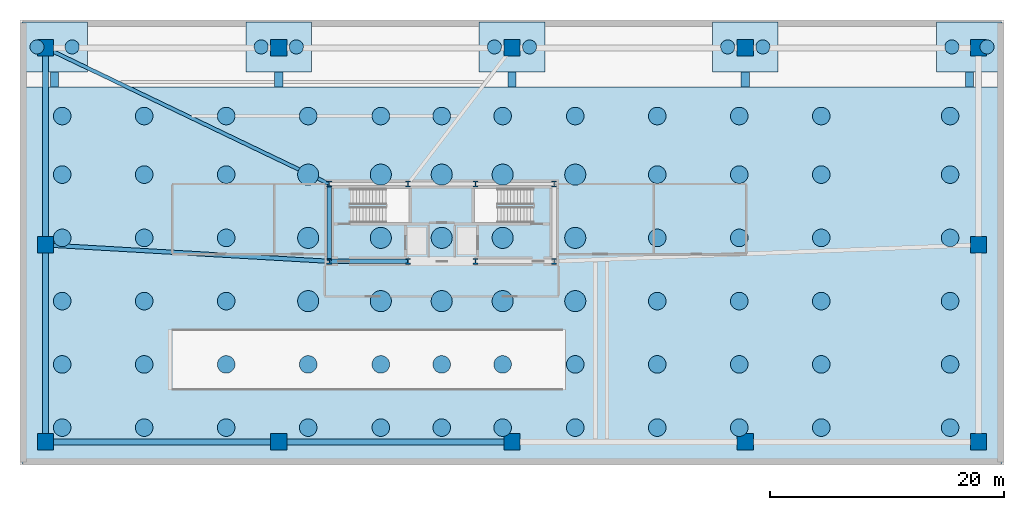
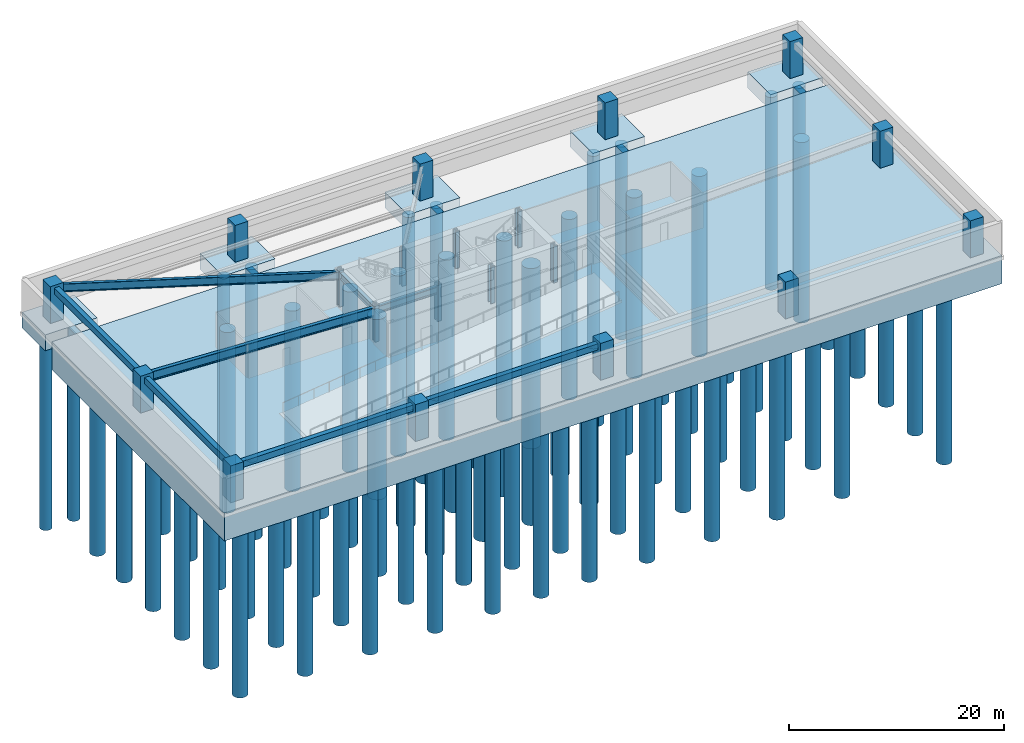
# One storey, part 1 of 8: 82 piles, 20 columns, 11 footings, 8 beams.
"""IFC4 building model written with IfcOpenShell, lengths in metres."""

from ifc_helpers import new_model, si_unit, direction, frame, origin, origin_2d, place, context, subcontext, project, spatial, polyline, rectangle, circle, i_section, outline, extrude, source, transform, mapped, material, layer, layer_set, material_profile, profile_set, type_object, type_shapes, element, save


model = new_model("IFC4")

# Units and contexts
model_context = context("Model", 3, precision=1e-05, world=origin(), true_north=direction((0.0, 1.0)))
body_context = subcontext(model_context, "Body", "Model", "MODEL_VIEW")
ifc_project = project(units=[si_unit("LENGTHUNIT", "METRE"), si_unit("AREAUNIT", "SQUARE_METRE"), si_unit("VOLUMEUNIT", "CUBIC_METRE"), si_unit("PLANEANGLEUNIT", "RADIAN"), si_unit("MASSUNIT", "GRAM", prefix="KILO")], contexts=[model_context])

# Site, building, storey
site_placement = place(None, origin())
site = spatial("IfcSite", under=ifc_project, at=site_placement, CompositionType="ELEMENT")
building_placement = place(site_placement, origin())
building = spatial("IfcBuilding", under=site, at=building_placement, Name="Astriad Promenade Condominiums", CompositionType="ELEMENT")
storey_placement = place(building_placement, frame((0.0, 0.0, -8.39990234375)))
storey = spatial("IfcBuildingStorey", under=building, at=storey_placement, Name="B02", CompositionType="ELEMENT", Elevation=-8.39990234375)

# Footings
ifc_material_1 = material(Name="Concrete C60/75", Category="concrete")
ifc_layer_1 = layer(ifc_material_1, 3.199951171875)
ifc_layer_set_1 = layer_set([ifc_layer_1], Name="Concrete C60/75")
footing_type_1 = type_object("IfcFootingType", Name="CONCRETE MAT RAFT FOOTING 3200", PredefinedType="PILE_CAP", material=ifc_layer_set_1)
footing_1_placement = place(storey_placement, frame((0.0, 0.0, -3.2001953125)))
element("IfcFooting", 1, at=footing_1_placement, inside=storey, type_object=footing_type_1, Name="Tower and Rear Core Piled Mat-Raft Foundation", PredefinedType="PILE_CAP", context=body_context, shape_type="SweptSolid", body=[
    extrude(outline(polyline([(0.14990234375, 0.14990234375), (83.85009765625, 0.14990234375), (83.85009765625, 32.300048828125), (0.14990234375, 32.300048828125), (0.14990234375, 0.14990234375)])), origin(), (0.0, 0.0, 1.0), 3.2001953125),
])
ifc_layer_2 = layer(ifc_material_1, 1.800048828125)
ifc_layer_set_2 = layer_set([ifc_layer_2], Name="Concrete C60/75")
footing_type_2 = type_object("IfcFootingType", Name="CONCRETE PERIMETER PILE CAP 1800", PredefinedType="PILE_CAP", material=ifc_layer_set_2)
footing_2_placement = place(storey_placement, frame((0.0, 0.0, -1.800048828125)))
element("IfcFooting", 2, at=footing_2_placement, inside=storey, type_object=footing_type_2, Name="Perimeter Pile Cap FT-CAP-N01", PredefinedType="PILE_CAP", context=body_context, shape_type="SweptSolid", body=[
    extrude(outline(polyline([(0.14990234375, 33.550048828125), (5.75, 33.550048828125), (5.75, 37.85009765625), (0.14990234375, 37.85009765625), (0.14990234375, 33.550048828125)])), origin(), (0.0, 0.0, 1.0), 1.800048828125),
])
footing_3_placement = place(storey_placement, frame((0.0, 0.0, -1.800048828125)))
element("IfcFooting", 3, at=footing_3_placement, inside=storey, type_object=footing_type_2, Name="Perimeter Pile Cap FT-CAP-N02", PredefinedType="PILE_CAP", context=body_context, shape_type="SweptSolid", body=[
    extrude(outline(polyline([(19.2900390625, 33.550048828125), (24.889892578125, 33.550048828125), (24.889892578125, 37.85009765625), (19.2900390625, 37.85009765625), (19.2900390625, 33.550048828125)])), origin(), (0.0, 0.0, 1.0), 1.800048828125),
])
footing_4_placement = place(storey_placement, frame((0.0, 0.0, -1.800048828125)))
element("IfcFooting", 4, at=footing_4_placement, inside=storey, type_object=footing_type_2, Name="Perimeter Pile Cap FT-CAP-N03", PredefinedType="PILE_CAP", context=body_context, shape_type="SweptSolid", body=[
    extrude(outline(polyline([(39.199951171875, 33.550048828125), (44.800048828125, 33.550048828125), (44.800048828125, 37.85009765625), (39.199951171875, 37.85009765625), (39.199951171875, 33.550048828125)])), origin(), (0.0, 0.0, 1.0), 1.800048828125),
])
footing_5_placement = place(storey_placement, frame((0.0, 0.0, -1.800048828125)))
element("IfcFooting", 5, at=footing_5_placement, inside=storey, type_object=footing_type_2, Name="Perimeter Pile Cap FT-CAP-N04", PredefinedType="PILE_CAP", context=body_context, shape_type="SweptSolid", body=[
    extrude(outline(polyline([(59.110107421875, 33.550048828125), (64.7099609375, 33.550048828125), (64.7099609375, 37.85009765625), (59.110107421875, 37.85009765625), (59.110107421875, 33.550048828125)])), origin(), (0.0, 0.0, 1.0), 1.800048828125),
])
footing_6_placement = place(storey_placement, frame((0.0, 0.0, -1.800048828125)))
element("IfcFooting", 6, at=footing_6_placement, inside=storey, type_object=footing_type_2, Name="Perimeter Pile Cap FT-CAP-N05", PredefinedType="PILE_CAP", context=body_context, shape_type="SweptSolid", body=[
    extrude(outline(polyline([(78.25, 33.550048828125), (83.85009765625, 33.550048828125), (83.85009765625, 37.85009765625), (78.25, 37.85009765625), (78.25, 33.550048828125)])), origin(), (0.0, 0.0, 1.0), 1.800048828125),
])

# Piles
ifc_material_2 = material(Name="Concrete C50/60", Category="concrete")
ifc_material_profile_1 = material_profile(ifc_material_2, circle(Radius=0.75, at=origin_2d()), Name="CAISSON-D1500")
ifc_profile_set_1 = profile_set([ifc_material_profile_1], Name="Concrete C50/60")
pile_type_1 = type_object("IfcPileType", Name="ROCK SOCKETED BORED CAISSON 1500", PredefinedType="BORED", material=ifc_profile_set_1)
shared_shape_1 = source(origin(), body_context, "Body", "SweptSolid", [
    extrude(circle(Radius=0.75, at=origin_2d()), origin(), (0.0, 0.0, 1.0), 20.550048828125),
])
type_shapes(pile_type_1, [shared_shape_1])
for number, where, z_axis, x_axis, name in (
    (7, (3.60009765625, 3.199951171875, -3.050048828125), (0.0, 0.0, -1.0), (1.0, 0.0, 0.0), "Rock-Socketed Bored Caisson PILE-MAT-01-01"),
    (8, (3.60009765625, 8.60009765625, -3.050048828125), (0.0, 0.0, -1.0), (1.0, 0.0, 0.0), "Rock-Socketed Bored Caisson PILE-MAT-01-02"),
    (9, (3.60009765625, 14.0, -3.050048828125), (0.0, 0.0, -1.0), (1.0, 0.0, 0.0), "Rock-Socketed Bored Caisson PILE-MAT-01-03"),
    (10, (3.60009765625, 19.39990234375, -3.050048828125), (0.0, 0.0, -1.0), (1.0, 0.0, 0.0), "Rock-Socketed Bored Caisson PILE-MAT-01-04"),
    (11, (3.60009765625, 24.800048828125, -3.050048828125), (0.0, 0.0, -1.0), (1.0, 0.0, 0.0), "Rock-Socketed Bored Caisson PILE-MAT-01-05"),
    (12, (3.60009765625, 29.800048828125, -3.050048828125), (0.0, 0.0, -1.0), (1.0, 0.0, 0.0), "Rock-Socketed Bored Caisson PILE-MAT-01-06"),
    (13, (10.60009765625, 3.199951171875, -3.050048828125), (0.0, 0.0, -1.0), (1.0, 0.0, 0.0), "Rock-Socketed Bored Caisson PILE-MAT-02-01"),
    (14, (10.60009765625, 8.60009765625, -3.050048828125), (0.0, 0.0, -1.0), (1.0, 0.0, 0.0), "Rock-Socketed Bored Caisson PILE-MAT-02-02"),
    (15, (10.60009765625, 14.0, -3.050048828125), (0.0, 0.0, -1.0), (1.0, 0.0, 0.0), "Rock-Socketed Bored Caisson PILE-MAT-02-03"),
    (16, (10.60009765625, 19.39990234375, -3.050048828125), (0.0, 0.0, -1.0), (1.0, 0.0, 0.0), "Rock-Socketed Bored Caisson PILE-MAT-02-04"),
    (17, (10.60009765625, 24.800048828125, -3.050048828125), (0.0, 0.0, -1.0), (1.0, 0.0, 0.0), "Rock-Socketed Bored Caisson PILE-MAT-02-05"),
    (18, (10.60009765625, 29.800048828125, -3.050048828125), (0.0, 0.0, -1.0), (1.0, 0.0, 0.0), "Rock-Socketed Bored Caisson PILE-MAT-02-06"),
    (19, (17.60009765625, 3.199951171875, -3.050048828125), (0.0, 0.0, -1.0), (1.0, 0.0, 0.0), "Rock-Socketed Bored Caisson PILE-MAT-03-01"),
    (20, (17.60009765625, 8.60009765625, -3.050048828125), (0.0, 0.0, -1.0), (1.0, 0.0, 0.0), "Rock-Socketed Bored Caisson PILE-MAT-03-02"),
    (21, (17.60009765625, 14.0, -3.050048828125), (0.0, 0.0, -1.0), (1.0, 0.0, 0.0), "Rock-Socketed Bored Caisson PILE-MAT-03-03"),
    (22, (17.60009765625, 19.39990234375, -3.050048828125), (0.0, 0.0, -1.0), (1.0, 0.0, 0.0), "Rock-Socketed Bored Caisson PILE-MAT-03-04"),
    (23, (17.60009765625, 24.800048828125, -3.050048828125), (0.0, 0.0, -1.0), (1.0, 0.0, 0.0), "Rock-Socketed Bored Caisson PILE-MAT-03-05"),
    (24, (17.60009765625, 29.800048828125, -3.050048828125), (0.0, 0.0, -1.0), (1.0, 0.0, 0.0), "Rock-Socketed Bored Caisson PILE-MAT-03-06"),
    (25, (24.60009765625, 3.199951171875, -3.050048828125), (0.0, 0.0, -1.0), (1.0, 0.0, 0.0), "Rock-Socketed Bored Caisson PILE-MAT-04-01"),
    (26, (24.60009765625, 8.60009765625, -3.050048828125), (0.0, 0.0, -1.0), (1.0, 0.0, 0.0), "Rock-Socketed Bored Caisson PILE-MAT-04-02"),
    (27, (24.60009765625, 29.800048828125, -3.050048828125), (0.0, 0.0, -1.0), (1.0, 0.0, 0.0), "Rock-Socketed Bored Caisson PILE-MAT-04-06"),
    (28, (30.800048828125, 3.199951171875, -3.050048828125), (0.0, 0.0, -1.0), (1.0, 0.0, 0.0), "Rock-Socketed Bored Caisson PILE-MAT-05-01"),
    (29, (30.800048828125, 8.60009765625, -3.050048828125), (0.0, 0.0, -1.0), (1.0, 0.0, 0.0), "Rock-Socketed Bored Caisson PILE-MAT-05-02"),
    (30, (30.800048828125, 29.800048828125, -3.050048828125), (0.0, 0.0, -1.0), (1.0, 0.0, 0.0), "Rock-Socketed Bored Caisson PILE-MAT-05-06"),
    (31, (36.0, 3.199951171875, -3.050048828125), (0.0, 0.0, -1.0), (1.0, 0.0, 0.0), "Rock-Socketed Bored Caisson PILE-MAT-06-01"),
    (32, (36.0, 8.60009765625, -3.050048828125), (0.0, 0.0, -1.0), (1.0, 0.0, 0.0), "Rock-Socketed Bored Caisson PILE-MAT-06-02"),
    (33, (36.0, 29.800048828125, -3.050048828125), (0.0, 0.0, -1.0), (1.0, 0.0, 0.0), "Rock-Socketed Bored Caisson PILE-MAT-06-06"),
    (34, (41.199951171875, 3.199951171875, -3.050048828125), (0.0, 0.0, -1.0), (1.0, 0.0, 0.0), "Rock-Socketed Bored Caisson PILE-MAT-07-01"),
    (35, (41.199951171875, 8.60009765625, -3.050048828125), (0.0, 0.0, -1.0), (1.0, 0.0, 0.0), "Rock-Socketed Bored Caisson PILE-MAT-07-02"),
    (36, (41.199951171875, 29.800048828125, -3.050048828125), (0.0, 0.0, -1.0), (1.0, 0.0, 0.0), "Rock-Socketed Bored Caisson PILE-MAT-07-06"),
    (37, (47.39990234375, 3.199951171875, -3.050048828125), (0.0, 0.0, -1.0), (1.0, 0.0, 0.0), "Rock-Socketed Bored Caisson PILE-MAT-08-01"),
    (38, (47.39990234375, 8.60009765625, -3.050048828125), (0.0, 0.0, -1.0), (1.0, 0.0, 0.0), "Rock-Socketed Bored Caisson PILE-MAT-08-02"),
    (39, (47.39990234375, 29.800048828125, -3.050048828125), (0.0, 0.0, -1.0), (1.0, 0.0, 0.0), "Rock-Socketed Bored Caisson PILE-MAT-08-06"),
    (40, (54.39990234375, 3.199951171875, -3.050048828125), (0.0, 0.0, -1.0), (1.0, 0.0, 0.0), "Rock-Socketed Bored Caisson PILE-MAT-09-01"),
    (41, (54.39990234375, 8.60009765625, -3.050048828125), (0.0, 0.0, -1.0), (1.0, 0.0, 0.0), "Rock-Socketed Bored Caisson PILE-MAT-09-02"),
    (42, (54.39990234375, 14.0, -3.050048828125), (0.0, 0.0, -1.0), (1.0, 0.0, 0.0), "Rock-Socketed Bored Caisson PILE-MAT-09-03"),
    (43, (54.39990234375, 19.39990234375, -3.050048828125), (0.0, 0.0, -1.0), (1.0, 0.0, 0.0), "Rock-Socketed Bored Caisson PILE-MAT-09-04"),
    (44, (54.39990234375, 24.800048828125, -3.050048828125), (0.0, 0.0, -1.0), (1.0, 0.0, 0.0), "Rock-Socketed Bored Caisson PILE-MAT-09-05"),
    (45, (54.39990234375, 29.800048828125, -3.050048828125), (0.0, 0.0, -1.0), (1.0, 0.0, 0.0), "Rock-Socketed Bored Caisson PILE-MAT-09-06"),
    (46, (61.39990234375, 3.199951171875, -3.050048828125), (0.0, 0.0, -1.0), (1.0, 0.0, 0.0), "Rock-Socketed Bored Caisson PILE-MAT-10-01"),
    (47, (61.39990234375, 8.60009765625, -3.050048828125), (0.0, 0.0, -1.0), (1.0, 0.0, 0.0), "Rock-Socketed Bored Caisson PILE-MAT-10-02"),
    (48, (61.39990234375, 14.0, -3.050048828125), (0.0, 0.0, -1.0), (1.0, 0.0, 0.0), "Rock-Socketed Bored Caisson PILE-MAT-10-03"),
    (49, (61.39990234375, 19.39990234375, -3.050048828125), (0.0, 0.0, -1.0), (1.0, 0.0, 0.0), "Rock-Socketed Bored Caisson PILE-MAT-10-04"),
    (50, (61.39990234375, 24.800048828125, -3.050048828125), (0.0, 0.0, -1.0), (1.0, 0.0, 0.0), "Rock-Socketed Bored Caisson PILE-MAT-10-05"),
    (51, (61.39990234375, 29.800048828125, -3.050048828125), (0.0, 0.0, -1.0), (1.0, 0.0, 0.0), "Rock-Socketed Bored Caisson PILE-MAT-10-06"),
    (52, (68.39990234375, 3.199951171875, -3.050048828125), (0.0, 0.0, -1.0), (1.0, 0.0, 0.0), "Rock-Socketed Bored Caisson PILE-MAT-11-01"),
    (53, (68.39990234375, 8.60009765625, -3.050048828125), (0.0, 0.0, -1.0), (1.0, 0.0, 0.0), "Rock-Socketed Bored Caisson PILE-MAT-11-02"),
    (54, (68.39990234375, 14.0, -3.050048828125), (0.0, 0.0, -1.0), (1.0, 0.0, 0.0), "Rock-Socketed Bored Caisson PILE-MAT-11-03"),
    (55, (68.39990234375, 19.39990234375, -3.050048828125), (0.0, 0.0, -1.0), (1.0, 0.0, 0.0), "Rock-Socketed Bored Caisson PILE-MAT-11-04"),
    (56, (68.39990234375, 24.800048828125, -3.050048828125), (0.0, 0.0, -1.0), (1.0, 0.0, 0.0), "Rock-Socketed Bored Caisson PILE-MAT-11-05"),
    (57, (68.39990234375, 29.800048828125, -3.050048828125), (0.0, 0.0, -1.0), (1.0, 0.0, 0.0), "Rock-Socketed Bored Caisson PILE-MAT-11-06"),
    (58, (79.39990234375, 3.199951171875, -3.050048828125), (0.0, 0.0, -1.0), (1.0, 0.0, 0.0), "Rock-Socketed Bored Caisson PILE-MAT-12-01"),
    (59, (79.39990234375, 8.60009765625, -3.050048828125), (0.0, 0.0, -1.0), (1.0, 0.0, 0.0), "Rock-Socketed Bored Caisson PILE-MAT-12-02"),
    (60, (79.39990234375, 14.0, -3.050048828125), (0.0, 0.0, -1.0), (1.0, 0.0, 0.0), "Rock-Socketed Bored Caisson PILE-MAT-12-03"),
    (61, (79.39990234375, 19.39990234375, -3.050048828125), (0.0, 0.0, -1.0), (1.0, 0.0, 0.0), "Rock-Socketed Bored Caisson PILE-MAT-12-04"),
    (62, (79.39990234375, 24.800048828125, -3.050048828125), (0.0, 0.0, -1.0), (1.0, 0.0, 0.0), "Rock-Socketed Bored Caisson PILE-MAT-12-05"),
    (63, (79.39990234375, 29.800048828125, -3.050048828125), (0.0, 0.0, -1.0), (1.0, 0.0, 0.0), "Rock-Socketed Bored Caisson PILE-MAT-12-06"),
):
    element("IfcPile", number, at=place(storey_placement, frame(where, z_axis=z_axis, x_axis=x_axis)), inside=storey, type_object=pile_type_1, Name=name, PredefinedType="BORED", context=body_context, shape_type="MappedRepresentation", body=[
        mapped(shared_shape_1, transform((0.0, 0.0, 0.0), scale=1.0)),
    ])
ifc_material_profile_2 = material_profile(ifc_material_2, circle(Radius=0.89990234375, at=origin_2d()), Name="CAISSON-D1800")
ifc_profile_set_2 = profile_set([ifc_material_profile_2], Name="Concrete C50/60")
pile_type_2 = type_object("IfcPileType", Name="ROCK SOCKETED BORED CAISSON 1800", PredefinedType="BORED", material=ifc_profile_set_2)
shared_shape_2 = source(origin(), body_context, "Body", "SweptSolid", [
    extrude(circle(Radius=0.89990234375, at=origin_2d()), origin(), (0.0, 0.0, 1.0), 20.550048828125),
])
type_shapes(pile_type_2, [shared_shape_2])
for number, where, z_axis, x_axis, name in (
    (64, (24.60009765625, 14.0, -3.050048828125), (0.0, 0.0, -1.0), (1.0, 0.0, 0.0), "Rock-Socketed Bored Caisson PILE-MAT-04-03"),
    (65, (24.60009765625, 19.39990234375, -3.050048828125), (0.0, 0.0, -1.0), (1.0, 0.0, 0.0), "Rock-Socketed Bored Caisson PILE-MAT-04-04"),
    (66, (24.60009765625, 24.800048828125, -3.050048828125), (0.0, 0.0, -1.0), (1.0, 0.0, 0.0), "Rock-Socketed Bored Caisson PILE-MAT-04-05"),
    (67, (30.800048828125, 14.0, -3.050048828125), (0.0, 0.0, -1.0), (1.0, 0.0, 0.0), "Rock-Socketed Bored Caisson PILE-MAT-05-03"),
    (68, (30.800048828125, 19.39990234375, -3.050048828125), (0.0, 0.0, -1.0), (1.0, 0.0, 0.0), "Rock-Socketed Bored Caisson PILE-MAT-05-04"),
    (69, (30.800048828125, 24.800048828125, -3.050048828125), (0.0, 0.0, -1.0), (1.0, 0.0, 0.0), "Rock-Socketed Bored Caisson PILE-MAT-05-05"),
    (70, (36.0, 14.0, -3.050048828125), (0.0, 0.0, -1.0), (1.0, 0.0, 0.0), "Rock-Socketed Bored Caisson PILE-MAT-06-03"),
    (71, (36.0, 19.39990234375, -3.050048828125), (0.0, 0.0, -1.0), (1.0, 0.0, 0.0), "Rock-Socketed Bored Caisson PILE-MAT-06-04"),
    (72, (36.0, 24.800048828125, -3.050048828125), (0.0, 0.0, -1.0), (1.0, 0.0, 0.0), "Rock-Socketed Bored Caisson PILE-MAT-06-05"),
    (73, (41.199951171875, 14.0, -3.050048828125), (0.0, 0.0, -1.0), (1.0, 0.0, 0.0), "Rock-Socketed Bored Caisson PILE-MAT-07-03"),
    (74, (41.199951171875, 19.39990234375, -3.050048828125), (0.0, 0.0, -1.0), (1.0, 0.0, 0.0), "Rock-Socketed Bored Caisson PILE-MAT-07-04"),
    (75, (41.199951171875, 24.800048828125, -3.050048828125), (0.0, 0.0, -1.0), (1.0, 0.0, 0.0), "Rock-Socketed Bored Caisson PILE-MAT-07-05"),
    (76, (47.39990234375, 14.0, -3.050048828125), (0.0, 0.0, -1.0), (1.0, 0.0, 0.0), "Rock-Socketed Bored Caisson PILE-MAT-08-03"),
    (77, (47.39990234375, 19.39990234375, -3.050048828125), (0.0, 0.0, -1.0), (1.0, 0.0, 0.0), "Rock-Socketed Bored Caisson PILE-MAT-08-04"),
    (78, (47.39990234375, 24.800048828125, -3.050048828125), (0.0, 0.0, -1.0), (1.0, 0.0, 0.0), "Rock-Socketed Bored Caisson PILE-MAT-08-05"),
):
    element("IfcPile", number, at=place(storey_placement, frame(where, z_axis=z_axis, x_axis=x_axis)), inside=storey, type_object=pile_type_2, Name=name, PredefinedType="BORED", context=body_context, shape_type="MappedRepresentation", body=[
        mapped(shared_shape_2, transform((0.0, 0.0, 0.0), scale=1.0)),
    ])
ifc_material_profile_3 = material_profile(ifc_material_2, circle(Radius=0.60009765625, at=origin_2d()), Name="CAISSON-D1200")
ifc_profile_set_3 = profile_set([ifc_material_profile_3], Name="Concrete C50/60")
pile_type_3 = type_object("IfcPileType", Name="ROCK SOCKETED BORED CAISSON 1200", PredefinedType="BORED", material=ifc_profile_set_3)
shared_shape_3 = source(origin(), body_context, "Body", "SweptSolid", [
    extrude(circle(Radius=0.60009765625, at=origin_2d()), origin(), (0.0, 0.0, 1.0), 21.949951171875),
])
type_shapes(pile_type_3, [shared_shape_3])
for number, where, z_axis, x_axis, name in (
    (79, (1.449951171875, 35.699951171875, -1.650146484375), (0.0, 0.0, -1.0), (1.0, 0.0, 0.0), "Rock-Socketed Bored Caisson PILE-CAP-N01-A"),
    (80, (4.449951171875, 35.699951171875, -1.650146484375), (0.0, 0.0, -1.0), (1.0, 0.0, 0.0), "Rock-Socketed Bored Caisson PILE-CAP-N01-B"),
    (81, (20.590087890625, 35.699951171875, -1.650146484375), (0.0, 0.0, -1.0), (1.0, 0.0, 0.0), "Rock-Socketed Bored Caisson PILE-CAP-N02-A"),
    (82, (23.590087890625, 35.699951171875, -1.650146484375), (0.0, 0.0, -1.0), (1.0, 0.0, 0.0), "Rock-Socketed Bored Caisson PILE-CAP-N02-B"),
    (83, (40.5, 35.699951171875, -1.650146484375), (0.0, 0.0, -1.0), (1.0, 0.0, 0.0), "Rock-Socketed Bored Caisson PILE-CAP-N03-A"),
    (84, (43.5, 35.699951171875, -1.650146484375), (0.0, 0.0, -1.0), (1.0, 0.0, 0.0), "Rock-Socketed Bored Caisson PILE-CAP-N03-B"),
    (85, (60.409912109375, 35.699951171875, -1.650146484375), (0.0, 0.0, -1.0), (1.0, 0.0, 0.0), "Rock-Socketed Bored Caisson PILE-CAP-N04-A"),
    (86, (63.409912109375, 35.699951171875, -1.650146484375), (0.0, 0.0, -1.0), (1.0, 0.0, 0.0), "Rock-Socketed Bored Caisson PILE-CAP-N04-B"),
    (87, (79.550048828125, 35.699951171875, -1.650146484375), (0.0, 0.0, -1.0), (1.0, 0.0, 0.0), "Rock-Socketed Bored Caisson PILE-CAP-N05-A"),
    (88, (82.550048828125, 35.699951171875, -1.650146484375), (0.0, 0.0, -1.0), (1.0, 0.0, 0.0), "Rock-Socketed Bored Caisson PILE-CAP-N05-B"),
):
    element("IfcPile", number, at=place(storey_placement, frame(where, z_axis=z_axis, x_axis=x_axis)), inside=storey, type_object=pile_type_3, Name=name, PredefinedType="BORED", context=body_context, shape_type="MappedRepresentation", body=[
        mapped(shared_shape_3, transform((0.0, 0.0, 0.0), scale=1.0)),
    ])

# Footings
ifc_material_profile_4 = material_profile(ifc_material_1, rectangle(XDim=0.699951171875, YDim=0.949951171875, at=origin_2d()), Name="RC-BM-700X950")
ifc_profile_set_4 = profile_set([ifc_material_profile_4], Name="Concrete C60/75")
footing_type_3 = type_object("IfcFootingType", Name="CONCRETE TIE GRADE BEAM 700X950", PredefinedType="FOOTING_BEAM", material=ifc_profile_set_4)
shared_shape_4 = source(origin(), body_context, "Body", "SweptSolid", [
    extrude(rectangle(XDim=0.699951171875, YDim=0.949951171875, at=origin_2d()), origin(), (0.0, 0.0, 1.0), 1.25),
])
type_shapes(footing_type_3, [shared_shape_4])
for number, where, z_axis, x_axis, name in (
    (89, (2.949951171875, 32.300048828125, -0.47509765625), (0.0, 1.0, 0.0), (-1.0, 0.0, 0.0), "Foundation Tie Grade Beam FB-NM-01"),
    (90, (22.090087890625, 32.300048828125, -0.47509765625), (0.0, 1.0, 0.0), (-1.0, 0.0, 0.0), "Foundation Tie Grade Beam FB-NM-02"),
    (91, (42.0, 32.300048828125, -0.47509765625), (0.0, 1.0, 0.0), (-1.0, 0.0, 0.0), "Foundation Tie Grade Beam FB-NM-03"),
    (92, (61.909912109375, 32.300048828125, -0.47509765625), (0.0, 1.0, 0.0), (-1.0, 0.0, 0.0), "Foundation Tie Grade Beam FB-NM-04"),
    (93, (81.050048828125, 32.300048828125, -0.47509765625), (0.0, 1.0, 0.0), (-1.0, 0.0, 0.0), "Foundation Tie Grade Beam FB-NM-05"),
):
    element("IfcFooting", number, at=place(storey_placement, frame(where, z_axis=z_axis, x_axis=x_axis)), inside=storey, type_object=footing_type_3, Name=name, PredefinedType="FOOTING_BEAM", context=body_context, shape_type="MappedRepresentation", body=[
        mapped(shared_shape_4, transform((0.0, 0.0, 0.0), scale=1.0)),
    ])

# Columns
ifc_material_3 = material(Name="Steel ASTM A992 Grade 50", Category="steel")
ifc_material_profile_5 = material_profile(ifc_material_3, i_section(OverallWidth=0.43701171875, OverallDepth=0.51416015625, WebThickness=0.060546875, FlangeThickness=0.096923828125, FilletRadius=0.017822265625, at=origin_2d()), Name="W14X550")
ifc_profile_set_5 = profile_set([ifc_material_profile_5], Name="Steel ASTM A992 Grade 50")
column_type_1 = type_object("IfcColumnType", Name="STEEL CORE PILASTER W14X550", PredefinedType="PILASTER", material=ifc_profile_set_5)
shared_shape_5 = source(origin(), body_context, "Body", "SweptSolid", [
    extrude(i_section(OverallWidth=0.43701171875, OverallDepth=0.51416015625, WebThickness=0.060546875, FlangeThickness=0.096923828125, FilletRadius=0.017822265625, at=origin_2d()), origin(), (0.0, 0.0, 1.0), 4.197998046875),
])
type_shapes(column_type_1, [shared_shape_5])
for number, where, z_axis, x_axis, name in (
    (94, (26.39990234375, 17.39990234375, 0.0), (0.0, 0.0, 1.0), (1.0, 0.0, 0.0), "Core Pilaster Column CP1 (B02)"),
    (95, (33.1201171875, 17.39990234375, 0.0), (0.0, 0.0, 1.0), (1.0, 0.0, 0.0), "Core Pilaster Column CP2 (B02)"),
    (96, (38.8798828125, 17.39990234375, 0.0), (0.0, 0.0, 1.0), (1.0, 0.0, 0.0), "Core Pilaster Column CP3 (B02)"),
    (97, (45.60009765625, 17.39990234375, 0.0), (0.0, 0.0, 1.0), (1.0, 0.0, 0.0), "Core Pilaster Column CP4 (B02)"),
    (98, (26.39990234375, 24.0, 0.0), (0.0, 0.0, 1.0), (1.0, 0.0, 0.0), "Core Pilaster Column CP5 (B02)"),
    (99, (33.1201171875, 24.0, 0.0), (0.0, 0.0, 1.0), (1.0, 0.0, 0.0), "Core Pilaster Column CP6 (B02)"),
    (100, (38.8798828125, 24.0, 0.0), (0.0, 0.0, 1.0), (1.0, 0.0, 0.0), "Core Pilaster Column CP7 (B02)"),
    (101, (45.60009765625, 24.0, 0.0), (0.0, 0.0, 1.0), (1.0, 0.0, 0.0), "Core Pilaster Column CP8 (B02)"),
):
    element("IfcColumn", number, at=place(storey_placement, frame(where, z_axis=z_axis, x_axis=x_axis)), inside=storey, type_object=column_type_1, Name=name, PredefinedType="PILASTER", context=body_context, shape_type="MappedRepresentation", body=[
        mapped(shared_shape_5, transform((0.0, 0.0, 0.0), scale=1.0)),
    ])
ifc_material_4 = material(Name="Concrete C80/95", Category="concrete")
ifc_material_profile_6 = material_profile(ifc_material_4, rectangle(XDim=1.39990234375, YDim=1.39990234375, at=origin_2d()), Name="RC-COL-1400X1400")
ifc_profile_set_6 = profile_set([ifc_material_profile_6], Name="Concrete C80/95")
column_type_2 = type_object("IfcColumnType", Name="CONCRETE MEGA COLUMN 1400X1400", PredefinedType="COLUMN", material=ifc_profile_set_6)
shared_shape_6 = source(origin(), body_context, "Body", "SweptSolid", [
    extrude(rectangle(XDim=1.39990234375, YDim=1.39990234375, at=origin_2d()), origin(), (0.0, 0.0, 1.0), 4.197998046875),
])
type_shapes(column_type_2, [shared_shape_6])
for number, where, z_axis, x_axis, name in (
    (102, (2.179931640625, 1.97998046875, 0.0), (0.0, 0.0, 1.0), (1.0, 0.0, 0.0), "Perimeter Column PC01 (B02)"),
    (103, (22.090087890625, 1.97998046875, 0.0), (0.0, 0.0, 1.0), (1.0, 0.0, 0.0), "Perimeter Column PC02 (B02)"),
    (104, (42.0, 1.97998046875, 0.0), (0.0, 0.0, 1.0), (1.0, 0.0, 0.0), "Perimeter Column PC03 (B02)"),
    (105, (61.909912109375, 1.97998046875, 0.0), (0.0, 0.0, 1.0), (1.0, 0.0, 0.0), "Perimeter Column PC04 (B02)"),
    (106, (81.820068359375, 1.97998046875, 0.0), (0.0, 0.0, 1.0), (1.0, 0.0, 0.0), "Perimeter Column PC05 (B02)"),
    (107, (2.179931640625, 35.6201171875, 0.0), (0.0, 0.0, 1.0), (1.0, 0.0, 0.0), "Perimeter Column PC06 (B02)"),
    (108, (22.090087890625, 35.6201171875, 0.0), (0.0, 0.0, 1.0), (1.0, 0.0, 0.0), "Perimeter Column PC07 (B02)"),
    (109, (42.0, 35.6201171875, 0.0), (0.0, 0.0, 1.0), (1.0, 0.0, 0.0), "Perimeter Column PC08 (B02)"),
    (110, (61.909912109375, 35.6201171875, 0.0), (0.0, 0.0, 1.0), (1.0, 0.0, 0.0), "Perimeter Column PC09 (B02)"),
    (111, (81.820068359375, 35.6201171875, 0.0), (0.0, 0.0, 1.0), (1.0, 0.0, 0.0), "Perimeter Column PC10 (B02)"),
    (112, (2.179931640625, 18.800048828125, 0.0), (0.0, 0.0, 1.0), (1.0, 0.0, 0.0), "Perimeter Column PC11 (B02)"),
    (113, (81.820068359375, 18.800048828125, 0.0), (0.0, 0.0, 1.0), (1.0, 0.0, 0.0), "Perimeter Column PC12 (B02)"),
):
    element("IfcColumn", number, at=place(storey_placement, frame(where, z_axis=z_axis, x_axis=x_axis)), inside=storey, type_object=column_type_2, Name=name, PredefinedType="COLUMN", context=body_context, shape_type="MappedRepresentation", body=[
        mapped(shared_shape_6, transform((0.0, 0.0, 0.0), scale=1.0)),
    ])

# Beams
ifc_material_profile_7 = material_profile(ifc_material_3, i_section(OverallWidth=0.3837890625, OverallDepth=0.785888671875, WebThickness=0.019775390625, FlangeThickness=0.033447265625, FilletRadius=0.021484375, at=origin_2d()), Name="W30X211")
ifc_profile_set_7 = profile_set([ifc_material_profile_7], Name="Steel ASTM A992 Grade 50")
beam_type_1 = type_object("IfcBeamType", Name="STEEL FLOOR GIRDER W30X211", PredefinedType="BEAM", material=ifc_profile_set_7)
shared_shape_7 = source(origin(), body_context, "Body", "SweptSolid", [
    extrude(i_section(OverallWidth=0.3837890625, OverallDepth=0.785888671875, WebThickness=0.019775390625, FlangeThickness=0.033447265625, FilletRadius=0.021484375, at=origin_2d()), origin(), (0.0, 0.0, 1.0), 6.64013671875),
])
type_shapes(beam_type_1, [shared_shape_7])
beam_1_placement = place(storey_placement, frame((26.43994140625, 17.39990234375, 3.507080078125), z_axis=(1.0, 0.0, 0.0), x_axis=(0.0, 1.0, 0.0)))
element("IfcBeam", 114, at=beam_1_placement, inside=storey, type_object=beam_type_1, Name="Core Ring Beam CG-S1-B02", PredefinedType="BEAM", context=body_context, shape_type="MappedRepresentation", body=[
    mapped(shared_shape_7, transform((0.0, 0.0, 0.0), scale=1.0)),
])
ifc_material_profile_8 = material_profile(ifc_material_3, i_section(OverallWidth=0.35791015625, OverallDepth=0.706298828125, WebThickness=0.018310546875, FlangeThickness=0.0302734375, FilletRadius=0.020263671875, at=origin_2d()), Name="W27X178")
ifc_profile_set_8 = profile_set([ifc_material_profile_8], Name="Steel ASTM A992 Grade 50")
beam_type_2 = type_object("IfcBeamType", Name="STEEL FLOOR GIRDER W27X178", PredefinedType="BEAM", material=ifc_profile_set_8)
shared_shape_8 = source(origin(), body_context, "Body", "SweptSolid", [
    extrude(i_section(OverallWidth=0.35791015625, OverallDepth=0.706298828125, WebThickness=0.018310546875, FlangeThickness=0.0302734375, FilletRadius=0.020263671875, at=origin_2d()), origin(), (0.0, 0.0, 1.0), 6.52001953125),
])
type_shapes(beam_type_2, [shared_shape_8])
beam_2_placement = place(storey_placement, frame((26.39990234375, 17.43994140625, 3.546630859375), z_axis=(0.0, 1.0, 0.0), x_axis=(-1.0, 0.0, 0.0)))
element("IfcBeam", 115, at=beam_2_placement, inside=storey, type_object=beam_type_2, Name="Core Ring Beam CG-W1-B02", PredefinedType="BEAM", context=body_context, shape_type="MappedRepresentation", body=[
    mapped(shared_shape_8, transform((0.0, 0.0, 0.0), scale=1.0)),
])
ifc_material_profile_9 = material_profile(ifc_material_2, rectangle(XDim=0.5, YDim=0.699951171875, at=origin_2d()), Name="RC-BM-500X700")
ifc_profile_set_9 = profile_set([ifc_material_profile_9], Name="Concrete C50/60")
beam_type_3 = type_object("IfcBeamType", Name="CONCRETE BASEMENT BEAM 500X700", PredefinedType="BEAM", material=ifc_profile_set_9)
shared_shape_9 = source(origin(), body_context, "Body", "SweptSolid", [
    extrude(rectangle(XDim=0.5, YDim=0.699951171875, at=origin_2d()), origin(), (0.0, 0.0, 1.0), 19.830078125),
])
for number, where, z_axis, x_axis, name in (
    (116, (2.219970703125, 1.97998046875, 3.5498046875), (1.0, 0.0, 0.0), (0.0, 1.0, 0.0), "Perimeter Spandrel Beam SP-S1-B02"),
    (117, (22.1298828125, 1.97998046875, 3.5498046875), (1.0, 0.0, 0.0), (0.0, 1.0, 0.0), "Perimeter Spandrel Beam SP-S2-B02"),
):
    element("IfcBeam", number, at=place(storey_placement, frame(where, z_axis=z_axis, x_axis=x_axis)), inside=storey, type_object=beam_type_3, Name=name, PredefinedType="BEAM", context=body_context, shape_type="MappedRepresentation", body=[
        mapped(shared_shape_9, transform((0.0, 0.0, 0.0), scale=1.0)),
    ])
shared_shape_10 = source(origin(), body_context, "Body", "SweptSolid", [
    extrude(rectangle(XDim=0.5, YDim=0.699951171875, at=origin_2d()), origin(), (0.0, 0.0, 1.0), 16.739990234375),
])
type_shapes(beam_type_3, [shared_shape_9, shared_shape_10])
for number, where, z_axis, x_axis, name in (
    (118, (2.179931640625, 35.580078125, 3.5498046875), (0.0, -1.0, 0.0), (1.0, 0.0, 0.0), "Perimeter Spandrel Beam SP-W2-B02"),
    (119, (2.179931640625, 18.760009765625, 3.5498046875), (0.0, -1.0, 0.0), (1.0, 0.0, 0.0), "Perimeter Spandrel Beam SP-W1-B02"),
):
    element("IfcBeam", number, at=place(storey_placement, frame(where, z_axis=z_axis, x_axis=x_axis)), inside=storey, type_object=beam_type_3, Name=name, PredefinedType="BEAM", context=body_context, shape_type="MappedRepresentation", body=[
        mapped(shared_shape_10, transform((0.0, 0.0, 0.0), scale=1.0)),
    ])
ifc_material_profile_10 = material_profile(ifc_material_3, i_section(OverallWidth=0.361083984375, OverallDepth=1.025634765625, WebThickness=0.01904296875, FlangeThickness=0.0361328125, FilletRadius=0.025390625, at=origin_2d()), Name="W40X249")
ifc_profile_set_10 = profile_set([ifc_material_profile_10], Name="Steel ASTM A992 Grade 50")
beam_type_4 = type_object("IfcBeamType", Name="STEEL PODIUM GIRDER W40X249", PredefinedType="BEAM", material=ifc_profile_set_10)
shared_shape_11 = source(origin(), body_context, "Body", "SweptSolid", [
    extrude(i_section(OverallWidth=0.361083984375, OverallDepth=1.025634765625, WebThickness=0.01904296875, FlangeThickness=0.0361328125, FilletRadius=0.025390625, at=origin_2d()), origin(), (0.0, 0.0, 1.0), 24.180419921875),
])
type_shapes(beam_type_4, [shared_shape_11])
beam_3_placement = place(storey_placement, frame((2.219970703125, 18.797607421875, 3.386962890625), z_axis=(0.99833384015, -0.057702197622, 0.0), x_axis=(0.057702197622, 0.99833384015, 0.0)))
element("IfcBeam", 120, at=beam_3_placement, inside=storey, type_object=beam_type_4, Name="Primary Floor Girder PG-WM-B02", PredefinedType="BEAM", context=body_context, shape_type="MappedRepresentation", body=[
    mapped(shared_shape_11, transform((0.0, 0.0, 0.0), scale=1.0)),
])
ifc_material_profile_11 = material_profile(ifc_material_3, i_section(OverallWidth=0.307861328125, OverallDepth=0.9267578125, WebThickness=0.019287109375, FlangeThickness=0.031982421875, FilletRadius=0.024169921875, at=origin_2d()), Name="W36X194")
ifc_profile_set_11 = profile_set([ifc_material_profile_11], Name="Steel ASTM A992 Grade 50")
beam_type_5 = type_object("IfcBeamType", Name="STEEL PRIMARY GIRDER W36X194", PredefinedType="BEAM", material=ifc_profile_set_11)
shared_shape_12 = source(origin(), body_context, "Body", "SweptSolid", [
    extrude(i_section(OverallWidth=0.307861328125, OverallDepth=0.9267578125, WebThickness=0.019287109375, FlangeThickness=0.031982421875, FilletRadius=0.024169921875, at=origin_2d()), origin(), (0.0, 0.0, 1.0), 26.783203125),
])
type_shapes(beam_type_5, [shared_shape_12])
beam_4_placement = place(storey_placement, frame((2.216064453125, 35.602783203125, 3.4365234375), z_axis=(0.901604120096, -0.432562146548, 0.0), x_axis=(0.432562146548, 0.901604120096, 0.0)))
element("IfcBeam", 121, at=beam_4_placement, inside=storey, type_object=beam_type_5, Name="Primary Floor Girder PG-NW-B02", PredefinedType="BEAM", context=body_context, shape_type="MappedRepresentation", body=[
    mapped(shared_shape_12, transform((0.0, 0.0, 0.0), scale=1.0)),
])

save(model, "model.ifc")
